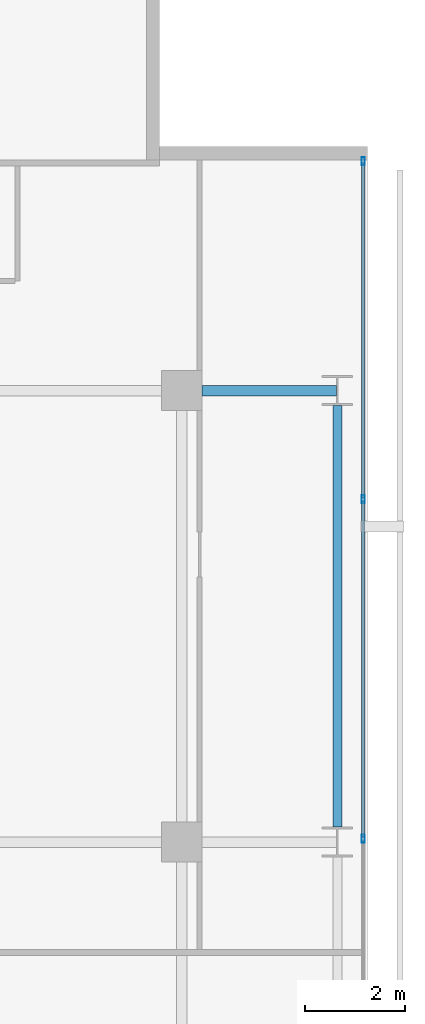
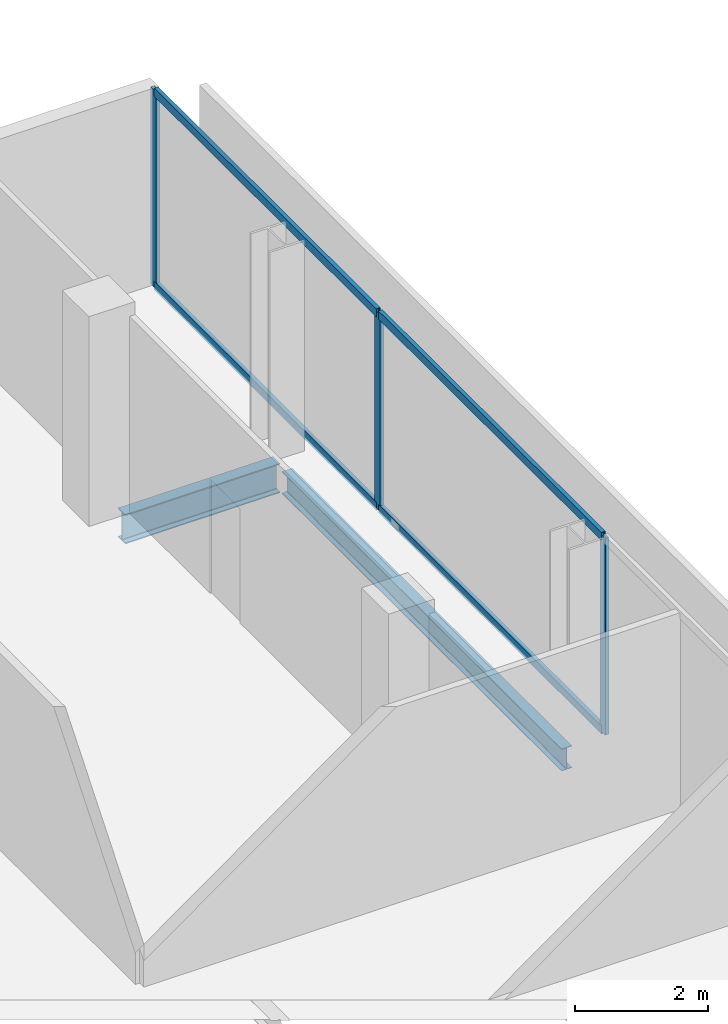
# One storey, part 24 of 33: 7 members, 2 beams, 1 element without a shape of its own.
"""IFC4 building model written with IfcOpenShell, lengths in metres."""

import ifcopenshell
import ifcopenshell.guid

model = None  # the IFC model being written
_history = None  # IfcOwnerHistory: only IFC2X3 demands one
_inside = {}  # id of a spatial element -> (the spatial element, [elements in it])
_under = {}  # id of a project, library or spatial element -> (it, [spatial elements below it])
_declared = {}  # id of a project -> (the project, [libraries it declares])
_typed = {}  # id of a type object -> (the type object, [elements of that type])
_made_of = {}  # id of a material, layer set ... -> (it, [elements and type objects made of it])


def new_model(schema):
    """Start an empty IFC model of exactly this schema.

    Asked for "IFC4X3", IfcOpenShell would pick the latest addendum, in which some entities
    have other attributes; the version numbers below select the first issue.
    IFC2X3 requires an IfcOwnerHistory on every rooted entity: one is made here for all.
    """
    global model, _history
    if schema == "IFC4X3":
        model = ifcopenshell.file(schema_version=(4, 3, 0, 0))
    else:
        model = ifcopenshell.file(schema=schema)
    _inside.clear()
    _under.clear()
    _declared.clear()
    _typed.clear()
    _made_of.clear()
    _history = None
    if model.schema == "IFC2X3":
        org = make("IfcOrganization", Name="unknown")
        user = make(
            "IfcPersonAndOrganization",
            ThePerson=make("IfcPerson", FamilyName="unknown"),
            TheOrganization=org,
        )
        app = make(
            "IfcApplication",
            ApplicationDeveloper=org,
            Version="unknown",
            ApplicationFullName="unknown",
            ApplicationIdentifier="unknown",
        )
        _history = make(
            "IfcOwnerHistory",
            OwningUser=user,
            OwningApplication=app,
            ChangeAction="ADDED",
            CreationDate=0,
        )
    return model


def make(cls, **values):
    """One entity of the class cls with the attributes given. An attribute that is None is left unset."""
    return model.create_entity(
        cls, **{name: value for name, value in values.items() if value is not None}
    )


def rooted(cls, **values):
    """An entity with a GlobalId (a new one), such as an element, a storey or a relation."""
    return make(cls, GlobalId=ifcopenshell.guid.new(), OwnerHistory=_history, **values)


def si_unit(unit_type, name, prefix=None):
    """IfcSIUnit, for example si_unit("LENGTHUNIT", "METRE", prefix="MILLI")."""
    return make("IfcSIUnit", UnitType=unit_type, Prefix=prefix, Name=name)


def assignment(units):
    """IfcUnitAssignment: the units of a project."""
    return None if units is None else make("IfcUnitAssignment", Units=units)


def point(xyz):
    """IfcCartesianPoint."""
    return None if xyz is None else make("IfcCartesianPoint", Coordinates=xyz)


def direction(xyz):
    """IfcDirection."""
    return None if xyz is None else make("IfcDirection", DirectionRatios=xyz)


def frame(location, z_axis=None, x_axis=None):
    """IfcAxis2Placement3D, a coordinate frame: its origin and axes. An axis left out is left unset."""
    return make(
        "IfcAxis2Placement3D",
        Location=point(location),
        Axis=direction(z_axis),
        RefDirection=direction(x_axis),
    )


def frame_2d(location, x_axis=None):
    """IfcAxis2Placement2D, a coordinate frame in the plane: its origin and x axis."""
    return make(
        "IfcAxis2Placement2D", Location=point(location), RefDirection=direction(x_axis)
    )


def origin():
    """The frame at (0, 0, 0) with its axes left unset."""
    return frame((0.0, 0.0, 0.0))


def origin_2d():
    """The frame at (0, 0) in the plane with its x axis left unset."""
    return frame_2d((0.0, 0.0))


def place(relative_to, where):
    """IfcLocalPlacement: puts the frame where relative to a parent placement (None: the world)."""
    return make(
        "IfcLocalPlacement", PlacementRelTo=relative_to, RelativePlacement=where
    )


def context(
    kind, dimensions, precision=None, world=None, true_north=None, identifier=None
):
    """IfcGeometricRepresentationContext, for example the 3D "Model" context."""
    return make(
        "IfcGeometricRepresentationContext",
        ContextIdentifier=identifier,
        ContextType=kind,
        CoordinateSpaceDimension=dimensions,
        Precision=precision,
        WorldCoordinateSystem=world,
        TrueNorth=true_north,
    )


def subcontext(parent, identifier, kind, view, scale=None):
    """IfcGeometricRepresentationSubContext, for example "Body" below "Model"."""
    return make(
        "IfcGeometricRepresentationSubContext",
        ContextIdentifier=identifier,
        ContextType=kind,
        ParentContext=parent,
        TargetScale=scale,
        TargetView=view,
    )


def project(units=None, contexts=None):
    """IfcProject with its units and contexts."""
    return rooted(
        "IfcProject",
        Name="project",
        RepresentationContexts=contexts,
        UnitsInContext=assignment(units),
    )


def spatial(cls, under=None, at=None, **own):
    """A site, building, storey or space (cls), placed at a placement, below another one or the project."""
    s = rooted(cls, ObjectPlacement=at, **own)
    if under is not None:
        _under.setdefault(under.id(), (under, []))[1].append(s)
    return s


def profile(cls, at=None, kind="AREA", **sizes):
    """A parametric profile (cls). Its sizes go by their IFC names, for example OverallWidth=200.0."""
    return make(cls, ProfileType=kind, Position=at, **sizes)


def hollow_rectangle(**sizes):
    """IfcRectangleHollowProfileDef."""
    return profile("IfcRectangleHollowProfileDef", **sizes)


def i_section(**sizes):
    """IfcIShapeProfileDef."""
    return profile("IfcIShapeProfileDef", **sizes)


def extrude(swept, where, along, depth):
    """IfcExtrudedAreaSolid: the profile swept, set in the frame where, extruded along a direction by depth."""
    return make(
        "IfcExtrudedAreaSolid",
        SweptArea=swept,
        Position=where,
        ExtrudedDirection=direction(along),
        Depth=depth,
    )


def shape(context_of_items, identifier, shape_type, items):
    """IfcShapeRepresentation: the items that make up one representation, for example the "Body"."""
    return make(
        "IfcShapeRepresentation",
        ContextOfItems=context_of_items,
        RepresentationIdentifier=identifier,
        RepresentationType=shape_type,
        Items=items,
    )


def material(Name=None, Category=None):
    """IfcMaterial."""
    return make("IfcMaterial", Name=Name, Category=Category)


def layer(
    of_material, thickness, ventilated=None, Name=None, Category=None, Priority=None
):
    """IfcMaterialLayer: one layer of a wall or slab, of a material (None: an air gap)."""
    return make(
        "IfcMaterialLayer",
        Material=of_material,
        LayerThickness=thickness,
        IsVentilated=ventilated,
        Name=Name,
        Category=Category,
        Priority=Priority,
    )


def layer_set(layers, Name=None):
    """IfcMaterialLayerSet."""
    return make("IfcMaterialLayerSet", MaterialLayers=layers, LayerSetName=Name)


def material_profile(
    of_material, cross_section, Name=None, Category=None, Priority=None
):
    """IfcMaterialProfile: a cross section and its material."""
    return make(
        "IfcMaterialProfile",
        Name=Name,
        Material=of_material,
        Profile=cross_section,
        Priority=Priority,
        Category=Category,
    )


def profile_set(profiles, Name=None, composite=None):
    """IfcMaterialProfileSet."""
    return make(
        "IfcMaterialProfileSet",
        Name=Name,
        MaterialProfiles=profiles,
        CompositeProfile=composite,
    )


def made_of(thing, what):
    """Note that an element or type object is made of a material, layer set ...; save() writes the relation."""
    if what is not None:
        _made_of.setdefault(what.id(), (what, []))[1].append(thing)
    return thing


def type_object(cls, material=None, **own):
    """A type object (cls), such as IfcWallType, which elements share."""
    return made_of(rooted(cls, **own), material)


def element(
    cls,
    number,
    at=None,
    inside=None,
    cuts=None,
    type_object=None,
    material=None,
    context=None,
    identifier="Body",
    shape_type=None,
    held_by="IfcProductDefinitionShape",
    body=None,
    shapes=None,
    **own,
):
    """One element of the class cls, such as IfcWall. Its Tag is "e" and its number.

    at: its placement. inside: the storey or other place that contains it. cuts: it is an
    opening in that element (IfcRelVoidsElement). A single representation is given by context,
    identifier, shape_type and body (its items); several are given by shapes. held_by: the class
    of the entity that holds the representations. save() writes the other relations.
    """
    e = rooted(cls, Tag="e%d" % number, ObjectPlacement=at, **own)
    if body is not None:
        shapes = [shape(context, identifier, shape_type, body)]
    if shapes is not None:
        e.Representation = make(held_by, Representations=shapes)
    if inside is not None:
        _inside.setdefault(inside.id(), (inside, []))[1].append(e)
    if cuts is not None:
        rooted(
            "IfcRelVoidsElement", RelatingBuildingElement=cuts, RelatedOpeningElement=e
        )
    if type_object is not None:
        _typed.setdefault(type_object.id(), (type_object, []))[1].append(e)
    return made_of(e, material)


def aggregate(whole, parts):
    """IfcRelAggregates: a whole, such as a stair, and the parts it consists of."""
    return rooted("IfcRelAggregates", RelatingObject=whole, RelatedObjects=parts)


def save(model, path):
    """Write the relations noted so far, then the file.

    IfcRelAggregates (storeys below a building ...), IfcRelContainedInSpatialStructure (elements
    in a storey), IfcRelDefinesByType, IfcRelAssociatesMaterial and IfcRelDeclares: one each for
    every whole, place, type object, material and project.
    """
    for whole, parts in _under.values():
        aggregate(whole, parts)
    for where, things in _inside.values():
        rooted(
            "IfcRelContainedInSpatialStructure",
            RelatedElements=things,
            RelatingStructure=where,
        )
    for kind, things in _typed.values():
        rooted("IfcRelDefinesByType", RelatedObjects=things, RelatingType=kind)
    for what, things in _made_of.values():
        rooted("IfcRelAssociatesMaterial", RelatedObjects=things, RelatingMaterial=what)
    for by, libraries in _declared.values():
        rooted("IfcRelDeclares", RelatingContext=by, RelatedDefinitions=libraries)
    model.write(path)


model = new_model("IFC4")

# Units and contexts
model_context = context("Model", 3, precision=1e-05, world=origin(), true_north=direction((0.0, 1.0)))
body_context = subcontext(model_context, "Body", "Model", "MODEL_VIEW")
ifc_project = project(units=[si_unit("LENGTHUNIT", "METRE"), si_unit("AREAUNIT", "SQUARE_METRE"), si_unit("VOLUMEUNIT", "CUBIC_METRE"), si_unit("PLANEANGLEUNIT", "RADIAN"), si_unit("MASSUNIT", "GRAM", prefix="KILO")], contexts=[model_context])

# Site, building, storey
site_placement = place(None, origin())
site = spatial("IfcSite", under=ifc_project, at=site_placement, CompositionType="ELEMENT")
building_placement = place(site_placement, origin())
building = spatial("IfcBuilding", under=site, at=building_placement, Name="Maruvema Waterfront Hotel and Observation Tower", CompositionType="ELEMENT")
storey_placement = place(building_placement, frame((0.0, 0.0, 204.39990234375)))
storey = spatial("IfcBuildingStorey", under=building, at=storey_placement, Name="L50", CompositionType="ELEMENT", Elevation=204.39990234375)

# Curtain wall, members
ifc_material_1 = material(Name="Anodised bronze aluminium and solar-control low-E IGU", Category="aluminium")
ifc_layer = layer(ifc_material_1, 0.159912109375, Name="Zone 2 Amber Inner Thermal Curtain Wall System CW-03")
ifc_layer_set = layer_set([ifc_layer], Name="Anodised bronze aluminium and solar-control low-E IGU")
curtain_wall_type = type_object("IfcCurtainWallType", Name="Zone 2 Amber Inner Thermal Curtain Wall System CW-03", PredefinedType="USERDEFINED", material=ifc_layer_set)
curtain_wall_placement = place(storey_placement, origin())
curtain_wall = element("IfcCurtainWall", 1, at=curtain_wall_placement, inside=storey, type_object=curtain_wall_type, Name="L50 Curtain Wall CW-L50-E", ObjectType="UNITISED CURTAIN WALL", PredefinedType="USERDEFINED")
ifc_material_2 = material(Name="Anodised architectural bronze aluminium", Category="aluminium")
ifc_material_profile_1 = material_profile(ifc_material_2, hollow_rectangle(XDim=0.070068359375, YDim=0.14990234375, WallThickness=0.00390625, at=origin_2d()), Name="ALU-T70x150")
ifc_profile_set_1 = profile_set([ifc_material_profile_1], Name="Anodised architectural bronze aluminium")
member_type_1 = type_object("IfcMemberType", Name="Curtain Wall Horizontal Transom ALU-T70x150", PredefinedType="USERDEFINED", material=ifc_profile_set_1)
member_1_placement = place(storey_placement, frame((62.419921875, 36.0966796875, 0.030029296875), z_axis=(0.0, 1.0, 0.0), x_axis=(-1.0, 0.0, 0.0)))
member_1 = element("IfcMember", 2, at=member_1_placement, type_object=member_type_1, Name="CW-03 transom 5.1", ObjectType="TRANSOM", PredefinedType="USERDEFINED", context=body_context, shape_type="SweptSolid", body=[
    extrude(hollow_rectangle(XDim=0.070068359375, YDim=0.14990234375, WallThickness=0.00390625, at=origin_2d()), origin(), (0.0, 0.0, 1.0), 6.70654296875),
])
member_2_placement = place(storey_placement, frame((62.419921875, 36.0966796875, 3.580078125), z_axis=(0.0, 1.0, 0.0), x_axis=(-1.0, 0.0, 0.0)))
member_2 = element("IfcMember", 3, at=member_2_placement, type_object=member_type_1, Name="CW-03 transom 5.2", ObjectType="TRANSOM", PredefinedType="USERDEFINED", context=body_context, shape_type="SweptSolid", body=[
    extrude(hollow_rectangle(XDim=0.070068359375, YDim=0.14990234375, WallThickness=0.00390625, at=origin_2d()), origin(), (0.0, 0.0, 1.0), 6.70654296875),
])
member_3_placement = place(storey_placement, frame((62.419921875, 42.86328125, 0.030029296875), z_axis=(0.0, 1.0, 0.0), x_axis=(-1.0, 0.0, 0.0)))
member_3 = element("IfcMember", 4, at=member_3_placement, type_object=member_type_1, Name="CW-03 transom 6.1", ObjectType="TRANSOM", PredefinedType="USERDEFINED", context=body_context, shape_type="SweptSolid", body=[
    extrude(hollow_rectangle(XDim=0.070068359375, YDim=0.14990234375, WallThickness=0.00390625, at=origin_2d()), origin(), (0.0, 0.0, 1.0), 6.6767578125),
])
member_4_placement = place(storey_placement, frame((62.419921875, 42.86328125, 3.580078125), z_axis=(0.0, 1.0, 0.0), x_axis=(-1.0, 0.0, 0.0)))
member_4 = element("IfcMember", 5, at=member_4_placement, type_object=member_type_1, Name="CW-03 transom 6.2", ObjectType="TRANSOM", PredefinedType="USERDEFINED", context=body_context, shape_type="SweptSolid", body=[
    extrude(hollow_rectangle(XDim=0.070068359375, YDim=0.14990234375, WallThickness=0.00390625, at=origin_2d()), origin(), (0.0, 0.0, 1.0), 6.6767578125),
])
ifc_material_3 = material(Name="Anodised architectural bronze aluminium", Category="aluminium")
ifc_material_profile_2 = material_profile(ifc_material_3, hollow_rectangle(XDim=0.06494140625, YDim=0.1650390625, WallThickness=0.00390625, at=origin_2d()), Name="ALU-M65x165")
ifc_profile_set_2 = profile_set([ifc_material_profile_2], Name="Anodised architectural bronze aluminium")
member_type_2 = type_object("IfcMemberType", Name="Curtain Wall Primary Mullion ALU-M65x165", PredefinedType="MULLION", material=ifc_profile_set_2)
member_5_placement = place(storey_placement, frame((62.419921875, 36.066650390625, 0.0), z_axis=(0.0, 0.0, 1.0), x_axis=(-1.0, 0.0, 0.0)))
member_5 = element("IfcMember", 6, at=member_5_placement, type_object=member_type_2, Name="CW-03 mullion 5", PredefinedType="MULLION", context=body_context, shape_type="SweptSolid", body=[
    extrude(hollow_rectangle(XDim=0.06494140625, YDim=0.1650390625, WallThickness=0.00390625, at=origin_2d()), origin(), (0.0, 0.0, 1.0), 3.610107421875),
])
member_6_placement = place(storey_placement, frame((62.419921875, 42.833251953125, 0.0), z_axis=(0.0, 0.0, 1.0), x_axis=(-1.0, 0.0, 0.0)))
member_6 = element("IfcMember", 7, at=member_6_placement, type_object=member_type_2, Name="CW-03 mullion 6", PredefinedType="MULLION", context=body_context, shape_type="SweptSolid", body=[
    extrude(hollow_rectangle(XDim=0.06494140625, YDim=0.1650390625, WallThickness=0.00390625, at=origin_2d()), origin(), (0.0, 0.0, 1.0), 3.610107421875),
])
member_7_placement = place(storey_placement, frame((62.419921875, 49.570068359375, 0.0), z_axis=(0.0, 0.0, 1.0), x_axis=(-1.0, 0.0, 0.0)))
member_7 = element("IfcMember", 8, at=member_7_placement, type_object=member_type_2, Name="CW-03 mullion 7", PredefinedType="MULLION", context=body_context, shape_type="SweptSolid", body=[
    extrude(hollow_rectangle(XDim=0.06494140625, YDim=0.1650390625, WallThickness=0.00390625, at=origin_2d()), origin(), (0.0, 0.0, 1.0), 3.610107421875),
])
aggregate(curtain_wall, [member_5, member_6, member_7, member_1, member_2, member_3, member_4])

# Beams
ifc_material_4 = material(Name="Steel ASTM A572 Grade 50", Category="steel")
ifc_material_profile_3 = material_profile(ifc_material_4, i_section(OverallWidth=0.178955078125, OverallDepth=0.409912109375, WebThickness=0.0087890625, FlangeThickness=0.014404296875, FilletRadius=0.014892578125, at=origin_2d()), Name="W410x67.0")
ifc_profile_set_3 = profile_set([ifc_material_profile_3], Name="Steel ASTM A572 Grade 50")
beam_type_1 = type_object("IfcBeamType", Name="Perimeter Spandrel Beam W410x67.0", PredefinedType="SPANDREL", material=ifc_profile_set_3)
beam_1_placement = place(storey_placement, frame((61.89990234375, 36.300048828125, -0.44482421875), z_axis=(0.0, 1.0, 0.0), x_axis=(-1.0, 0.0, 0.0)))
element("IfcBeam", 9, at=beam_1_placement, inside=storey, type_object=beam_type_1, Name="L50 Floor Girder NS-32", PredefinedType="SPANDREL", context=body_context, shape_type="SweptSolid", body=[
    extrude(i_section(OverallWidth=0.178955078125, OverallDepth=0.409912109375, WebThickness=0.0087890625, FlangeThickness=0.014404296875, FilletRadius=0.014892578125, at=origin_2d()), origin(), (0.0, 0.0, 1.0), 8.39990234375),
])
ifc_material_5 = material(Name="Steel ASTM A572 Grade 50", Category="steel")
ifc_material_profile_4 = material_profile(ifc_material_5, i_section(OverallWidth=0.2109375, OverallDepth=0.5390625, WebThickness=0.01171875, FlangeThickness=0.018798828125, FilletRadius=0.014892578125, at=origin_2d()), Name="W530x109.0")
ifc_profile_set_4 = profile_set([ifc_material_profile_4], Name="Steel ASTM A572 Grade 50")
beam_type_2 = type_object("IfcBeamType", Name="Primary Floor Girder W530x109.0", PredefinedType="BEAM", material=ifc_profile_set_4)
beam_2_placement = place(storey_placement, frame((59.199951171875, 45.0, -0.509521484375), z_axis=(1.0, 0.0, 0.0), x_axis=(0.0, 1.0, 0.0)))
element("IfcBeam", 10, at=beam_2_placement, inside=storey, type_object=beam_type_2, Name="L50 Floor Girder EW-33", PredefinedType="BEAM", context=body_context, shape_type="SweptSolid", body=[
    extrude(i_section(OverallWidth=0.2109375, OverallDepth=0.5390625, WebThickness=0.01171875, FlangeThickness=0.018798828125, FilletRadius=0.014892578125, at=origin_2d()), origin(), (0.0, 0.0, 1.0), 2.6875),
])

save(model, "model.ifc")
